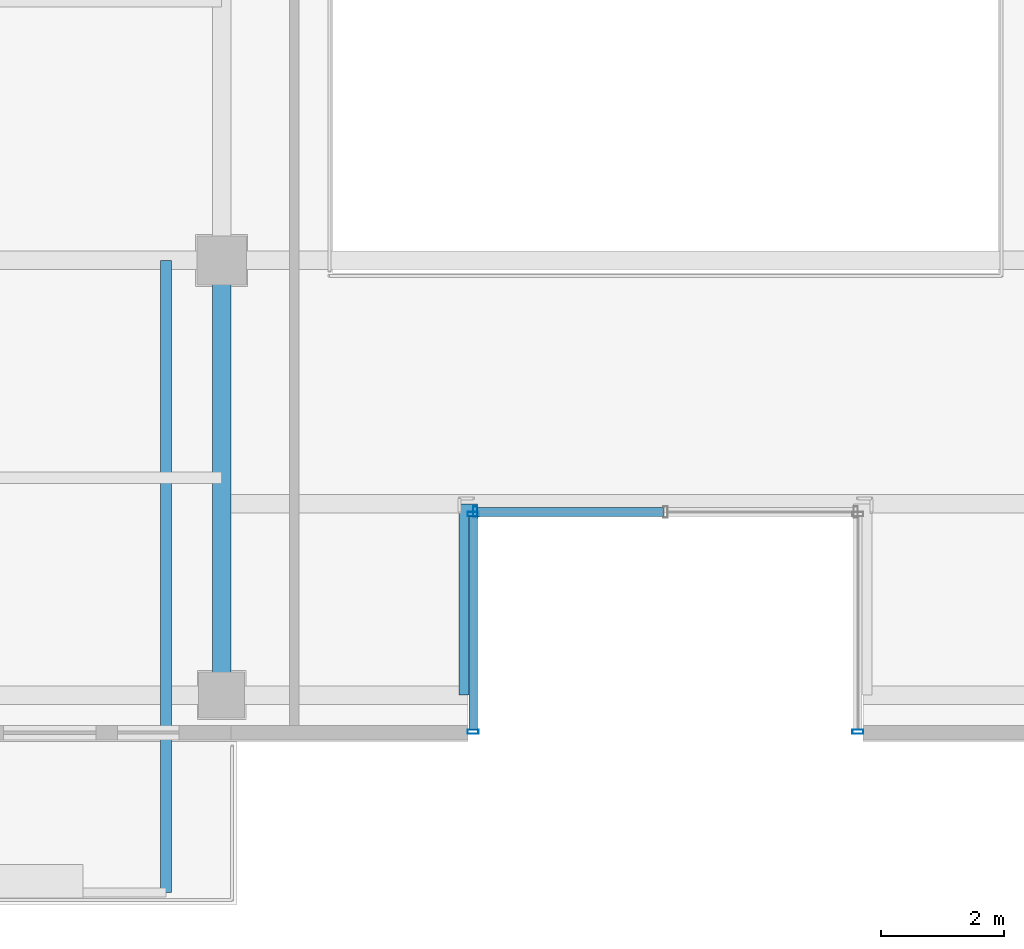
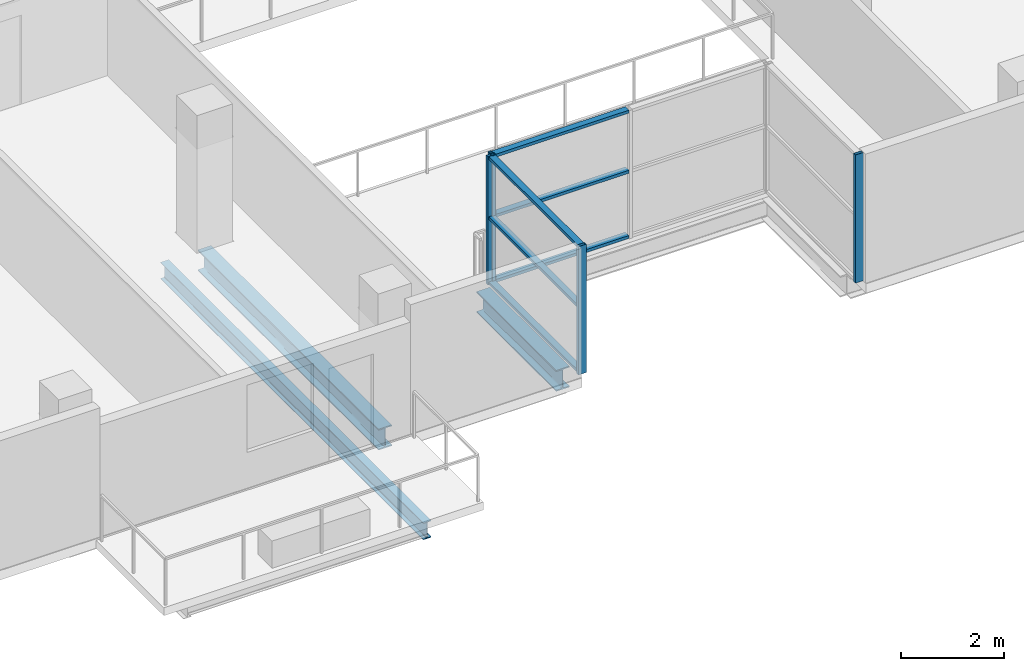
# One storey, part 2 of 22: 10 members, 3 beams, 3 elements without a shape of their own.
"""IFC4 building model written with IfcOpenShell, lengths in metres."""

from ifc_helpers import new_model, si_unit, direction, frame, origin, origin_2d, place, context, subcontext, project, spatial, hollow_rectangle, i_section, extrude, source, transform, mapped, material, layer, layer_set, material_profile, profile_set, type_object, element, aggregate, save


model = new_model("IFC4")

# Units and contexts
model_context = context("Model", 3, precision=1e-05, world=origin(), true_north=direction((0.0, 1.0)))
body_context = subcontext(model_context, "Body", "Model", "MODEL_VIEW")
ifc_project = project(units=[si_unit("LENGTHUNIT", "METRE"), si_unit("AREAUNIT", "SQUARE_METRE"), si_unit("VOLUMEUNIT", "CUBIC_METRE"), si_unit("PLANEANGLEUNIT", "RADIAN"), si_unit("MASSUNIT", "GRAM", prefix="KILO")], contexts=[model_context])

# Site, building, storey
site_placement = place(None, origin())
site = spatial("IfcSite", under=ifc_project, at=site_placement, CompositionType="ELEMENT")
building_placement = place(site_placement, origin())
building = spatial("IfcBuilding", under=site, at=building_placement, Name="Zarnakvel Exchange Tower", CompositionType="ELEMENT")
storey_placement = place(building_placement, frame((0.0, 0.0, 179.199951171875)))
storey = spatial("IfcBuildingStorey", under=building, at=storey_placement, Name="L50", CompositionType="ELEMENT", Elevation=179.199951171875)

# Beams
ifc_material_1 = material(Name="Steel S355", Category="steel")
ifc_material_profile_1 = material_profile(ifc_material_1, i_section(OverallWidth=0.179931640625, OverallDepth=0.39990234375, WebThickness=0.008544921875, FlangeThickness=0.013427734375, FilletRadius=0.02099609375, at=origin_2d()))
ifc_profile_set_1 = profile_set([ifc_material_profile_1], Name="Steel S355")
beam_type_1 = type_object("IfcBeamType", Name="B-06", PredefinedType="JOIST", material=ifc_profile_set_1)
beam_1_placement = place(storey_placement, frame((-8.10009765625, -9.60009765625, -0.425048828125), z_axis=(0.0, -1.0, 0.0), x_axis=(1.0, 0.0, 0.0)))
element("IfcBeam", 1, at=beam_1_placement, inside=storey, type_object=beam_type_1, Name="L50 Continuous Back-Spanned Balcony Beam E", PredefinedType="JOIST", context=body_context, shape_type="SweptSolid", body=[
    extrude(i_section(OverallWidth=0.179931640625, OverallDepth=0.39990234375, WebThickness=0.008544921875, FlangeThickness=0.013427734375, FilletRadius=0.02099609375, at=origin_2d()), origin(), (0.0, 0.0, 1.0), 10.25),
])
ifc_material_profile_2 = material_profile(ifc_material_1, i_section(OverallWidth=0.300048828125, OverallDepth=0.5, WebThickness=0.014404296875, FlangeThickness=0.028076171875, FilletRadius=0.027099609375, at=origin_2d()))
ifc_profile_set_2 = profile_set([ifc_material_profile_2], Name="Steel S355")
beam_type_2 = type_object("IfcBeamType", Name="G-06", PredefinedType="BEAM", material=ifc_profile_set_2)
beam_2_placement = place(storey_placement, frame((-3.199951171875, -16.64990234375, -0.474853515625), z_axis=(0.0, 1.0, 0.0), x_axis=(-1.0, 0.0, 0.0)))
element("IfcBeam", 2, at=beam_2_placement, inside=storey, type_object=beam_type_2, Name="L50 South Slot West Cheek Beam", PredefinedType="BEAM", context=body_context, shape_type="SweptSolid", body=[
    extrude(i_section(OverallWidth=0.300048828125, OverallDepth=0.5, WebThickness=0.014404296875, FlangeThickness=0.028076171875, FilletRadius=0.027099609375, at=origin_2d()), origin(), (0.0, 0.0, 1.0), 3.099853515625),
])
beam_3_placement = place(storey_placement, frame((-7.199951171875, -16.64990234375, -0.474853515625), z_axis=(0.0, 1.0, 0.0), x_axis=(-1.0, 0.0, 0.0)))
element("IfcBeam", 3, at=beam_3_placement, inside=storey, type_object=beam_type_2, Name="L50 Tower N-S Frame Beam", PredefinedType="BEAM", context=body_context, shape_type="SweptSolid", body=[
    extrude(i_section(OverallWidth=0.300048828125, OverallDepth=0.5, WebThickness=0.014404296875, FlangeThickness=0.028076171875, FilletRadius=0.027099609375, at=origin_2d()), origin(), (0.0, 0.0, 1.0), 7.0498046875),
])

# Curtain wall, members
ifc_material_2 = material(Name="Architectural Bronze Anodised Aluminium", Category="aluminium")
ifc_layer = layer(ifc_material_2, 0.179931640625)
ifc_layer_set = layer_set([ifc_layer], Name="Architectural Bronze Anodised Aluminium")
curtain_wall_type = type_object("IfcCurtainWallType", Name="CW-05", PredefinedType="NOTDEFINED", material=ifc_layer_set)
curtain_wall_1_placement = place(storey_placement, origin())
curtain_wall_1 = element("IfcCurtainWall", 4, at=curtain_wall_1_placement, inside=storey, type_object=curtain_wall_type, Name="L50 Curtain Wall CW-L50-SLW (CW-05)", PredefinedType="NOTDEFINED")
ifc_material_profile_3 = material_profile(ifc_material_2, hollow_rectangle(XDim=0.139892578125, YDim=0.070068359375, WallThickness=0.00390625, at=origin_2d()))
ifc_profile_set_3 = profile_set([ifc_material_profile_3], Name="Architectural Bronze Anodised Aluminium")
member_type_1 = type_object("IfcMemberType", Name="CWT-05", PredefinedType="USERDEFINED", material=ifc_profile_set_3)
shared_shape_1 = source(origin(), body_context, "Body", "SweptSolid", [
    extrude(hollow_rectangle(XDim=0.139892578125, YDim=0.070068359375, WallThickness=0.00390625, at=origin_2d()), origin(), (0.0, 0.0, 1.0), 3.4599609375),
])
member_1_placement = place(storey_placement, frame((-3.1201171875, -17.2099609375, 0.03515625), z_axis=(0.0, 1.0, 0.0), x_axis=(-1.0, 0.0, 0.0)))
member_1 = element("IfcMember", 5, at=member_1_placement, type_object=member_type_1, Name="CW-05 transom 1.1", ObjectType="TRANSOM", PredefinedType="USERDEFINED", context=body_context, shape_type="MappedRepresentation", body=[
    mapped(shared_shape_1, transform((0.0, 0.0, 0.0), x_axis=(1.0, 0.0, 0.0), y_axis=(0.0, 1.0, 0.0), z_axis=(0.0, 0.0, 1.0), scale=1.0)),
])
member_2_placement = place(storey_placement, frame((-3.1201171875, -17.2099609375, 1.588623046875), z_axis=(0.0, 1.0, 0.0), x_axis=(-1.0, 0.0, 0.0)))
member_2 = element("IfcMember", 6, at=member_2_placement, type_object=member_type_1, Name="CW-05 transom 1.2", ObjectType="TRANSOM", PredefinedType="USERDEFINED", context=body_context, shape_type="MappedRepresentation", body=[
    mapped(shared_shape_1, transform((0.0, 0.0, 0.0), x_axis=(1.0, 0.0, 0.0), y_axis=(0.0, 1.0, 0.0), z_axis=(0.0, 0.0, 1.0), scale=1.0)),
])
member_3_placement = place(storey_placement, frame((-3.1201171875, -17.2099609375, 3.02001953125), z_axis=(0.0, 1.0, 0.0), x_axis=(-1.0, 0.0, 0.0)))
member_3 = element("IfcMember", 7, at=member_3_placement, type_object=member_type_1, Name="CW-05 transom 1.3", ObjectType="TRANSOM", PredefinedType="USERDEFINED", context=body_context, shape_type="MappedRepresentation", body=[
    mapped(shared_shape_1, transform((0.0, 0.0, 0.0), x_axis=(1.0, 0.0, 0.0), y_axis=(0.0, 1.0, 0.0), z_axis=(0.0, 0.0, 1.0), scale=1.0)),
])

curtain_wall_2_placement = place(storey_placement, origin())
curtain_wall_2 = element("IfcCurtainWall", 8, at=curtain_wall_2_placement, inside=storey, type_object=curtain_wall_type, Name="L50 Curtain Wall CW-L50-SLB (CW-05)", PredefinedType="NOTDEFINED")
shared_shape_2 = source(origin(), body_context, "Body", "SweptSolid", [
    extrude(hollow_rectangle(XDim=0.139892578125, YDim=0.070068359375, WallThickness=0.00390625, at=origin_2d()), origin(), (0.0, 0.0, 1.0), 3.01513671875),
])
member_4_placement = place(storey_placement, frame((-3.050048828125, -13.679931640625, 0.03515625), z_axis=(1.0, 0.0, 0.0), x_axis=(0.0, 1.0, 0.0)))
member_4 = element("IfcMember", 9, at=member_4_placement, type_object=member_type_1, Name="CW-05 transom 1.1", ObjectType="TRANSOM", PredefinedType="USERDEFINED", context=body_context, shape_type="MappedRepresentation", body=[
    mapped(shared_shape_2, transform((0.0, 0.0, 0.0), x_axis=(1.0, 0.0, 0.0), y_axis=(0.0, 1.0, 0.0), z_axis=(0.0, 0.0, 1.0), scale=1.0)),
])
member_5_placement = place(storey_placement, frame((-3.050048828125, -13.679931640625, 1.588623046875), z_axis=(1.0, 0.0, 0.0), x_axis=(0.0, 1.0, 0.0)))
member_5 = element("IfcMember", 10, at=member_5_placement, type_object=member_type_1, Name="CW-05 transom 1.2", ObjectType="TRANSOM", PredefinedType="USERDEFINED", context=body_context, shape_type="MappedRepresentation", body=[
    mapped(shared_shape_2, transform((0.0, 0.0, 0.0), x_axis=(1.0, 0.0, 0.0), y_axis=(0.0, 1.0, 0.0), z_axis=(0.0, 0.0, 1.0), scale=1.0)),
])
member_6_placement = place(storey_placement, frame((-3.050048828125, -13.679931640625, 3.02001953125), z_axis=(1.0, 0.0, 0.0), x_axis=(0.0, 1.0, 0.0)))
member_6 = element("IfcMember", 11, at=member_6_placement, type_object=member_type_1, Name="CW-05 transom 1.3", ObjectType="TRANSOM", PredefinedType="USERDEFINED", context=body_context, shape_type="MappedRepresentation", body=[
    mapped(shared_shape_2, transform((0.0, 0.0, 0.0), x_axis=(1.0, 0.0, 0.0), y_axis=(0.0, 1.0, 0.0), z_axis=(0.0, 0.0, 1.0), scale=1.0)),
])

# Member
ifc_material_profile_4 = material_profile(ifc_material_2, hollow_rectangle(XDim=0.179931640625, YDim=0.070068359375, WallThickness=0.00390625, at=origin_2d()))
ifc_profile_set_4 = profile_set([ifc_material_profile_4], Name="Architectural Bronze Anodised Aluminium")
member_type_2 = type_object("IfcMemberType", Name="CWM-05", PredefinedType="MULLION", material=ifc_profile_set_4)
shared_shape_3 = source(origin(), body_context, "Body", "SweptSolid", [
    extrude(hollow_rectangle(XDim=0.179931640625, YDim=0.070068359375, WallThickness=0.00390625, at=origin_2d()), origin(), (0.0, 0.0, 1.0), 3.054931640625),
])
member_7_placement = place(storey_placement, frame((-3.1201171875, -17.2451171875, 0.0), z_axis=(0.0, 0.0, 1.0), x_axis=(-1.0, 0.0, 0.0)))
member_7 = element("IfcMember", 12, at=member_7_placement, type_object=member_type_2, Name="CW-05 mullion 1", PredefinedType="MULLION", context=body_context, shape_type="MappedRepresentation", body=[
    mapped(shared_shape_3, transform((0.0, 0.0, 0.0), x_axis=(1.0, 0.0, 0.0), y_axis=(0.0, 1.0, 0.0), z_axis=(0.0, 0.0, 1.0), scale=1.0)),
])

member_8_placement = place(storey_placement, frame((-3.1201171875, -13.715087890625, 0.0), z_axis=(0.0, 0.0, 1.0), x_axis=(-1.0, 0.0, 0.0)))
member_8 = element("IfcMember", 13, at=member_8_placement, type_object=member_type_2, Name="CW-05 mullion 2", PredefinedType="MULLION", context=body_context, shape_type="MappedRepresentation", body=[
    mapped(shared_shape_3, transform((0.0, 0.0, 0.0), x_axis=(1.0, 0.0, 0.0), y_axis=(0.0, 1.0, 0.0), z_axis=(0.0, 0.0, 1.0), scale=1.0)),
])

aggregate(curtain_wall_1, [member_7, member_8, member_1, member_2, member_3])

member_9_placement = place(storey_placement, frame((-3.0849609375, -13.679931640625, 0.0), z_axis=(0.0, 0.0, 1.0), x_axis=(0.0, 1.0, 0.0)))
member_9 = element("IfcMember", 14, at=member_9_placement, type_object=member_type_2, Name="CW-05 mullion 1", PredefinedType="MULLION", context=body_context, shape_type="MappedRepresentation", body=[
    mapped(shared_shape_3, transform((0.0, 0.0, 0.0), x_axis=(1.0, 0.0, 0.0), y_axis=(0.0, 1.0, 0.0), z_axis=(0.0, 0.0, 1.0), scale=1.0)),
])

aggregate(curtain_wall_2, [member_9, member_4, member_5, member_6])

# Curtain wall, member
curtain_wall_3_placement = place(storey_placement, origin())
curtain_wall_3 = element("IfcCurtainWall", 15, at=curtain_wall_3_placement, inside=storey, type_object=curtain_wall_type, Name="L50 Curtain Wall CW-L50-SLE (CW-05)", PredefinedType="NOTDEFINED")
member_10_placement = place(storey_placement, frame((3.1201171875, -17.2451171875, 0.0), z_axis=(0.0, 0.0, 1.0), x_axis=(1.0, 0.0, 0.0)))
member_10 = element("IfcMember", 16, at=member_10_placement, type_object=member_type_2, Name="CW-05 mullion 2", PredefinedType="MULLION", context=body_context, shape_type="MappedRepresentation", body=[
    mapped(shared_shape_3, transform((0.0, 0.0, 0.0), x_axis=(1.0, 0.0, 0.0), y_axis=(0.0, 1.0, 0.0), z_axis=(0.0, 0.0, 1.0), scale=1.0)),
])
aggregate(curtain_wall_3, [member_10])

save(model, "model.ifc")
